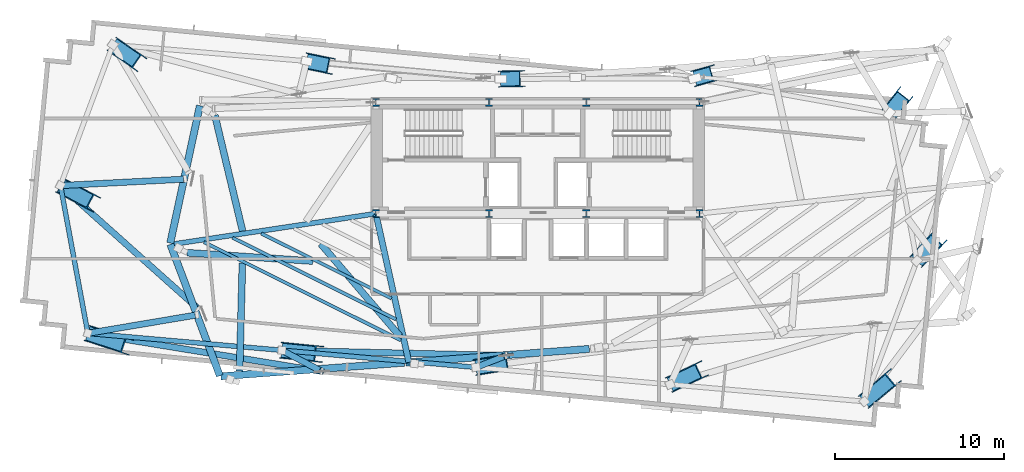
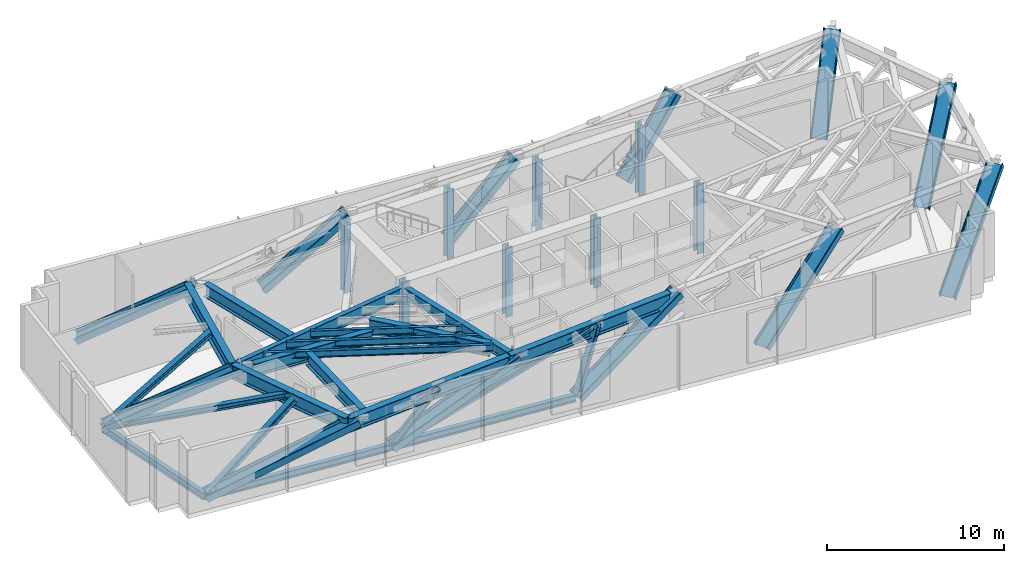
# One storey, part 1 of 10: 20 columns, 13 beams, 10 members.
"""IFC4 building model written with IfcOpenShell, lengths in metres."""

from ifc_helpers import new_model, si_unit, direction, frame, origin, origin_2d, place, context, subcontext, project, spatial, i_section, extrude, source, transform, mapped, material, material_profile, profile_set, type_object, type_shapes, element, save


model = new_model("IFC4")

# Units and contexts
model_context = context("Model", 3, precision=1e-05, world=origin(), true_north=direction((0.0, 1.0)))
body_context = subcontext(model_context, "Body", "Model", "MODEL_VIEW")
ifc_project = project(units=[si_unit("LENGTHUNIT", "METRE"), si_unit("AREAUNIT", "SQUARE_METRE"), si_unit("VOLUMEUNIT", "CUBIC_METRE"), si_unit("PLANEANGLEUNIT", "RADIAN"), si_unit("MASSUNIT", "GRAM", prefix="KILO")], contexts=[model_context])

# Site, building, storey
site_placement = place(None, origin())
site = spatial("IfcSite", under=ifc_project, at=site_placement, CompositionType="ELEMENT")
building_placement = place(site_placement, origin())
building = spatial("IfcBuilding", under=site, at=building_placement, Name="Astriad Promenade Condominiums", CompositionType="ELEMENT")
storey_placement = place(building_placement, frame((0.0, 0.0, 163.0)))
storey = spatial("IfcBuildingStorey", under=building, at=storey_placement, Name="L47", CompositionType="ELEMENT", Elevation=163.0)

# Columns
ifc_material = material(Name="Steel ASTM A992 Grade 50", Category="steel")
ifc_material_profile_1 = material_profile(ifc_material, i_section(OverallWidth=0.42138671875, OverallDepth=0.464599609375, WebThickness=0.044921875, FlangeThickness=0.072509765625, FilletRadius=0.017822265625, at=origin_2d()), Name="W14X398")
ifc_profile_set_1 = profile_set([ifc_material_profile_1], Name="Steel ASTM A992 Grade 50")
column_type_1 = type_object("IfcColumnType", Name="STEEL CORE PILASTER W14X398", PredefinedType="PILASTER", material=ifc_profile_set_1)
shared_shape_1 = source(origin(), body_context, "Body", "SweptSolid", [
    extrude(i_section(OverallWidth=0.42138671875, OverallDepth=0.464599609375, WebThickness=0.044921875, FlangeThickness=0.072509765625, FilletRadius=0.017822265625, at=origin_2d()), origin(), (0.0, 0.0, 1.0), 4.796142578125),
])
type_shapes(column_type_1, [shared_shape_1])
for number, where, z_axis, x_axis, name in (
    (1, (26.39990234375, 17.39990234375, 0.001953125), (0.0, 0.0, 1.0), (1.0, 0.0, 0.0), "Core Pilaster Column CP1 (L47)"),
    (2, (33.1201171875, 17.39990234375, 0.001953125), (0.0, 0.0, 1.0), (1.0, 0.0, 0.0), "Core Pilaster Column CP2 (L47)"),
    (3, (38.8798828125, 17.39990234375, 0.001953125), (0.0, 0.0, 1.0), (1.0, 0.0, 0.0), "Core Pilaster Column CP3 (L47)"),
    (4, (45.60009765625, 17.39990234375, 0.001953125), (0.0, 0.0, 1.0), (1.0, 0.0, 0.0), "Core Pilaster Column CP4 (L47)"),
    (5, (26.39990234375, 24.0, 0.001953125), (0.0, 0.0, 1.0), (1.0, 0.0, 0.0), "Core Pilaster Column CP5 (L47)"),
    (6, (33.1201171875, 24.0, 0.001953125), (0.0, 0.0, 1.0), (1.0, 0.0, 0.0), "Core Pilaster Column CP6 (L47)"),
    (7, (38.8798828125, 24.0, 0.001953125), (0.0, 0.0, 1.0), (1.0, 0.0, 0.0), "Core Pilaster Column CP7 (L47)"),
    (8, (45.60009765625, 24.0, 0.001953125), (0.0, 0.0, 1.0), (1.0, 0.0, 0.0), "Core Pilaster Column CP8 (L47)"),
):
    element("IfcColumn", number, at=place(storey_placement, frame(where, z_axis=z_axis, x_axis=x_axis)), inside=storey, type_object=column_type_1, Name=name, PredefinedType="PILASTER", context=body_context, shape_type="MappedRepresentation", body=[
        mapped(shared_shape_1, transform((0.0, 0.0, 0.0), scale=1.0)),
    ])
ifc_material_profile_2 = material_profile(ifc_material, i_section(OverallWidth=0.427490234375, OverallDepth=0.9755859375, WebThickness=0.031005859375, FlangeThickness=0.055908203125, FilletRadius=0.024169921875, at=origin_2d()), Name="W36X395")
ifc_profile_set_2 = profile_set([ifc_material_profile_2], Name="Steel ASTM A992 Grade 50")
column_type_2 = type_object("IfcColumnType", Name="STEEL RAKING MEGA COLUMN W36X395", PredefinedType="COLUMN", material=ifc_profile_set_2)
shared_shape_2 = source(origin(), body_context, "Body", "SweptSolid", [
    extrude(i_section(OverallWidth=0.427490234375, OverallDepth=0.9755859375, WebThickness=0.031005859375, FlangeThickness=0.055908203125, FilletRadius=0.024169921875, at=origin_2d()), origin(), (0.0, 0.0, 1.0), 9.694091796875),
])
column_1_placement = place(storey_placement, frame((9.319580078125, 10.30029296875, 0.20703125), z_axis=(0.867629311561, -0.282594656324, 0.409096123102), x_axis=(-0.388983204432, 0.126695321963, 0.912491294239)))
element("IfcColumn", 9, at=column_1_placement, inside=storey, type_object=column_type_2, Name="Raking Mega-Strut Column PC01 (L47)", PredefinedType="COLUMN", context=body_context, shape_type="MappedRepresentation", body=[
    mapped(shared_shape_2, transform((0.0, 0.0, 0.0), scale=1.0)),
])
shared_shape_3 = source(origin(), body_context, "Body", "SweptSolid", [
    extrude(i_section(OverallWidth=0.427490234375, OverallDepth=0.9755859375, WebThickness=0.031005859375, FlangeThickness=0.055908203125, FilletRadius=0.024169921875, at=origin_2d()), origin(), (0.0, 0.0, 1.0), 8.825927734375),
])
column_2_placement = place(storey_placement, frame((20.827392578125, 9.29150390625, 0.202880859375), z_axis=(0.888459117919, -0.08884867794, 0.450273592624), x_axis=(-0.448038832316, 0.044805278166, 0.8928906382)))
element("IfcColumn", 10, at=column_2_placement, inside=storey, type_object=column_type_2, Name="Raking Mega-Strut Column PC02 (L47)", PredefinedType="COLUMN", context=body_context, shape_type="MappedRepresentation", body=[
    mapped(shared_shape_3, transform((0.0, 0.0, 0.0), scale=1.0)),
])
shared_shape_4 = source(origin(), body_context, "Body", "SweptSolid", [
    extrude(i_section(OverallWidth=0.427490234375, OverallDepth=0.9755859375, WebThickness=0.031005859375, FlangeThickness=0.055908203125, FilletRadius=0.024169921875, at=origin_2d()), origin(), (0.0, 0.0, 1.0), 8.366943359375),
])
column_3_placement = place(storey_placement, frame((32.3388671875, 8.27880859375, 0.199951171875), z_axis=(0.868258717283, 0.140906753117, 0.47568065631), x_axis=(-0.469537746143, -0.076199683295, 0.879618049617)))
element("IfcColumn", 11, at=column_3_placement, inside=storey, type_object=column_type_2, Name="Raking Mega-Strut Column PC03 (L47)", PredefinedType="COLUMN", context=body_context, shape_type="MappedRepresentation", body=[
    mapped(shared_shape_4, transform((0.0, 0.0, 0.0), scale=1.0)),
])
shared_shape_5 = source(origin(), body_context, "Body", "SweptSolid", [
    extrude(i_section(OverallWidth=0.427490234375, OverallDepth=0.9755859375, WebThickness=0.031005859375, FlangeThickness=0.055908203125, FilletRadius=0.024169921875, at=origin_2d()), origin(), (0.0, 0.0, 1.0), 8.3837890625),
])
column_4_placement = place(storey_placement, frame((43.856201171875, 7.265869140625, 0.2001953125), z_axis=(0.796348519495, 0.374834466045, 0.474687432489), x_axis=(-0.429488980716, -0.202156805492, 0.880154441809)))
element("IfcColumn", 12, at=column_4_placement, inside=storey, type_object=column_type_2, Name="Raking Mega-Strut Column PC04 (L47)", PredefinedType="COLUMN", context=body_context, shape_type="MappedRepresentation", body=[
    mapped(shared_shape_5, transform((0.0, 0.0, 0.0), scale=1.0)),
])
shared_shape_6 = source(origin(), body_context, "Body", "SweptSolid", [
    extrude(i_section(OverallWidth=0.427490234375, OverallDepth=0.9755859375, WebThickness=0.031005859375, FlangeThickness=0.055908203125, FilletRadius=0.024169921875, at=origin_2d()), origin(), (0.0, 0.0, 1.0), 8.8740234375),
])
column_5_placement = place(storey_placement, frame((55.377685546875, 6.256591796875, 0.203125), z_axis=(0.685081186073, 0.574564695793, 0.447816010028), x_axis=(-0.34311765446, -0.287766318451, 0.894125730064)))
element("IfcColumn", 13, at=column_5_placement, inside=storey, type_object=column_type_2, Name="Raking Mega-Strut Column PC05 (L47)", PredefinedType="COLUMN", context=body_context, shape_type="MappedRepresentation", body=[
    mapped(shared_shape_6, transform((0.0, 0.0, 0.0), scale=1.0)),
])
shared_shape_7 = source(origin(), body_context, "Body", "SweptSolid", [
    extrude(i_section(OverallWidth=0.427490234375, OverallDepth=0.9755859375, WebThickness=0.031005859375, FlangeThickness=0.055908203125, FilletRadius=0.024169921875, at=origin_2d()), origin(), (0.0, 0.0, 1.0), 7.842529296875),
])
column_6_placement = place(storey_placement, frame((10.805908203125, 27.4150390625, 0.196044921875), z_axis=(0.708098056532, -0.489903240818, 0.508519377185), x_axis=(-0.418188669995, 0.289327138825, 0.861050546151)))
element("IfcColumn", 14, at=column_6_placement, inside=storey, type_object=column_type_2, Name="Raking Mega-Strut Column PC06 (L47)", PredefinedType="COLUMN", context=body_context, shape_type="MappedRepresentation", body=[
    mapped(shared_shape_7, transform((0.0, 0.0, 0.0), scale=1.0)),
])
shared_shape_8 = source(origin(), body_context, "Body", "SweptSolid", [
    extrude(i_section(OverallWidth=0.427490234375, OverallDepth=0.9755859375, WebThickness=0.031005859375, FlangeThickness=0.055908203125, FilletRadius=0.024169921875, at=origin_2d()), origin(), (0.0, 0.0, 1.0), 6.49951171875),
])
column_7_placement = place(storey_placement, frame((22.3037109375, 26.4462890625, 0.179931640625), z_axis=(0.769895202402, -0.15701414647, 0.618553098066), x_axis=(-0.606077383499, 0.123604774738, 0.785743001797)))
element("IfcColumn", 15, at=column_7_placement, inside=storey, type_object=column_type_2, Name="Raking Mega-Strut Column PC07 (L47)", PredefinedType="COLUMN", context=body_context, shape_type="MappedRepresentation", body=[
    mapped(shared_shape_8, transform((0.0, 0.0, 0.0), scale=1.0)),
])
shared_shape_9 = source(origin(), body_context, "Body", "SweptSolid", [
    extrude(i_section(OverallWidth=0.427490234375, OverallDepth=0.9755859375, WebThickness=0.031005859375, FlangeThickness=0.055908203125, FilletRadius=0.024169921875, at=origin_2d()), origin(), (0.0, 0.0, 1.0), 5.997802734375),
])
column_8_placement = place(storey_placement, frame((33.812744140625, 25.38427734375, 0.169921875), z_axis=(0.738948312908, 0.015793320778, 0.673576990305), x_axis=(-0.673423200594, -0.014392872195, 0.739117066594)))
element("IfcColumn", 16, at=column_8_placement, inside=storey, type_object=column_type_2, Name="Raking Mega-Strut Column PC08 (L47)", PredefinedType="COLUMN", context=body_context, shape_type="MappedRepresentation", body=[
    mapped(shared_shape_9, transform((0.0, 0.0, 0.0), scale=1.0)),
])
shared_shape_10 = source(origin(), body_context, "Body", "SweptSolid", [
    extrude(i_section(OverallWidth=0.427490234375, OverallDepth=0.9755859375, WebThickness=0.031005859375, FlangeThickness=0.055908203125, FilletRadius=0.024169921875, at=origin_2d()), origin(), (0.0, 0.0, 1.0), 5.693359375),
])
column_9_placement = place(storey_placement, frame((45.32666015625, 25.422607421875, 0.162109375), z_axis=(0.676281354512, 0.187477146784, 0.712387428984), x_axis=(-0.6864971101, -0.190309134827, 0.701786399858)))
element("IfcColumn", 17, at=column_9_placement, inside=storey, type_object=column_type_2, Name="Raking Mega-Strut Column PC09 (L47)", PredefinedType="COLUMN", context=body_context, shape_type="MappedRepresentation", body=[
    mapped(shared_shape_10, transform((0.0, 0.0, 0.0), scale=1.0)),
])
shared_shape_11 = source(origin(), body_context, "Body", "SweptSolid", [
    extrude(i_section(OverallWidth=0.427490234375, OverallDepth=0.9755859375, WebThickness=0.031005859375, FlangeThickness=0.055908203125, FilletRadius=0.024169921875, at=origin_2d()), origin(), (0.0, 0.0, 1.0), 6.5576171875),
])
column_10_placement = place(storey_placement, frame((56.864501953125, 23.339599609375, 0.180908203125), z_axis=(0.49117035329, 0.619091321523, 0.612762286424), x_axis=(-0.380846676507, -0.480034820255, 0.790267284111)))
element("IfcColumn", 18, at=column_10_placement, inside=storey, type_object=column_type_2, Name="Raking Mega-Strut Column PC10 (L47)", PredefinedType="COLUMN", context=body_context, shape_type="MappedRepresentation", body=[
    mapped(shared_shape_11, transform((0.0, 0.0, 0.0), scale=1.0)),
])
shared_shape_12 = source(origin(), body_context, "Body", "SweptSolid", [
    extrude(i_section(OverallWidth=0.427490234375, OverallDepth=0.9755859375, WebThickness=0.031005859375, FlangeThickness=0.055908203125, FilletRadius=0.024169921875, at=origin_2d()), origin(), (0.0, 0.0, 1.0), 8.844482421875),
])
column_11_placement = place(storey_placement, frame((7.6943359375, 19.062744140625, 0.202880859375), z_axis=(0.789303843356, -0.418446420977, 0.449335103943), x_axis=(-0.39699630515, 0.210466076441, 0.89336328801)))
element("IfcColumn", 19, at=column_11_placement, inside=storey, type_object=column_type_2, Name="Raking Mega-Strut Column PC11 (L47)", PredefinedType="COLUMN", context=body_context, shape_type="MappedRepresentation", body=[
    mapped(shared_shape_12, transform((0.0, 0.0, 0.0), scale=1.0)),
])
shared_shape_13 = source(origin(), body_context, "Body", "SweptSolid", [
    extrude(i_section(OverallWidth=0.427490234375, OverallDepth=0.9755859375, WebThickness=0.031005859375, FlangeThickness=0.055908203125, FilletRadius=0.024169921875, at=origin_2d()), origin(), (0.0, 0.0, 1.0), 7.897705078125),
])
type_shapes(column_type_2, [shared_shape_2, shared_shape_3, shared_shape_4, shared_shape_5, shared_shape_6, shared_shape_7, shared_shape_8, shared_shape_9, shared_shape_10, shared_shape_11, shared_shape_12, shared_shape_13])
column_12_placement = place(storey_placement, frame((58.4912109375, 14.593994140625, 0.196533203125), z_axis=(0.588521105511, 0.631490132545, 0.504839698188), x_axis=(-0.344189415886, -0.369319329116, 0.863213113393)))
element("IfcColumn", 20, at=column_12_placement, inside=storey, type_object=column_type_2, Name="Raking Mega-Strut Column PC12 (L47)", PredefinedType="COLUMN", context=body_context, shape_type="MappedRepresentation", body=[
    mapped(shared_shape_13, transform((0.0, 0.0, 0.0), scale=1.0)),
])

# Beams
ifc_material_profile_3 = material_profile(ifc_material, i_section(OverallWidth=0.423095703125, OverallDepth=0.9482421875, WebThickness=0.02392578125, FlangeThickness=0.042724609375, FilletRadius=0.024169921875, at=origin_2d()), Name="W36X302")
ifc_profile_set_3 = profile_set([ifc_material_profile_3], Name="Steel ASTM A992 Grade 50")
beam_type_1 = type_object("IfcBeamType", Name="STEEL PERIMETER RING GIRDER W36X302", PredefinedType="BEAM", material=ifc_profile_set_3)
shared_shape_14 = source(origin(), body_context, "Body", "SweptSolid", [
    extrude(i_section(OverallWidth=0.423095703125, OverallDepth=0.9482421875, WebThickness=0.02392578125, FlangeThickness=0.042724609375, FilletRadius=0.024169921875, at=origin_2d()), origin(), (0.0, 0.0, 1.0), 10.919921875),
])
for number, where, z_axis, x_axis, name in (
    (21, (17.2041015625, 7.748291015625, 3.906005859375), (0.997248076484, 0.074136859581, 0.0), (-0.074136859581, 0.997248076484, 0.0), "Perimeter Spandrel Beam SP-S1-L47"),
    (22, (28.173583984375, 8.56396484375, 3.906005859375), (0.997248076484, 0.074136859581, 0.0), (-0.074136859581, 0.997248076484, 0.0), "Perimeter Spandrel Beam SP-S2-L47"),
):
    element("IfcBeam", number, at=place(storey_placement, frame(where, z_axis=z_axis, x_axis=x_axis)), inside=storey, type_object=beam_type_1, Name=name, PredefinedType="BEAM", context=body_context, shape_type="MappedRepresentation", body=[
        mapped(shared_shape_14, transform((0.0, 0.0, 0.0), scale=1.0)),
    ])
shared_shape_15 = source(origin(), body_context, "Body", "SweptSolid", [
    extrude(i_section(OverallWidth=0.423095703125, OverallDepth=0.9482421875, WebThickness=0.02392578125, FlangeThickness=0.042724609375, FilletRadius=0.024169921875, at=origin_2d()), origin(), (0.0, 0.0, 1.0), 8.3291015625),
])
beam_1_placement = place(storey_placement, frame((14.213134765625, 15.576904296875, 3.906005859375), z_axis=(0.352591006589, -0.935777528087, 0.0), x_axis=(0.935777528087, 0.352591006589, 0.0)))
element("IfcBeam", 23, at=beam_1_placement, inside=storey, type_object=beam_type_1, Name="Perimeter Spandrel Beam SP-W1-L47", PredefinedType="BEAM", context=body_context, shape_type="MappedRepresentation", body=[
    mapped(shared_shape_15, transform((0.0, 0.0, 0.0), scale=1.0)),
])
shared_shape_16 = source(origin(), body_context, "Body", "SweptSolid", [
    extrude(i_section(OverallWidth=0.423095703125, OverallDepth=0.9482421875, WebThickness=0.02392578125, FlangeThickness=0.042724609375, FilletRadius=0.024169921875, at=origin_2d()), origin(), (0.0, 0.0, 1.0), 8.335205078125),
])
type_shapes(beam_type_1, [shared_shape_14, shared_shape_15, shared_shape_16])
beam_2_placement = place(storey_placement, frame((15.96337890625, 23.8017578125, 3.906005859375), z_axis=(-0.210655122251, -0.977560442873, 0.0), x_axis=(0.977560442873, -0.210655122251, 0.0)))
element("IfcBeam", 24, at=beam_2_placement, inside=storey, type_object=beam_type_1, Name="Perimeter Spandrel Beam SP-W2-L47", PredefinedType="BEAM", context=body_context, shape_type="MappedRepresentation", body=[
    mapped(shared_shape_16, transform((0.0, 0.0, 0.0), scale=1.0)),
])
ifc_material_profile_4 = material_profile(ifc_material, i_section(OverallWidth=0.2919921875, OverallDepth=0.85888671875, WebThickness=0.01708984375, FlangeThickness=0.031005859375, FilletRadius=0.02294921875, at=origin_2d()), Name="W33X169")
ifc_profile_set_4 = profile_set([ifc_material_profile_4], Name="Steel ASTM A992 Grade 50")
beam_type_2 = type_object("IfcBeamType", Name="STEEL PRIMARY GIRDER W33X169", PredefinedType="BEAM", material=ifc_profile_set_4)
shared_shape_17 = source(origin(), body_context, "Body", "SweptSolid", [
    extrude(i_section(OverallWidth=0.2919921875, OverallDepth=0.85888671875, WebThickness=0.01708984375, FlangeThickness=0.031005859375, FilletRadius=0.02294921875, at=origin_2d()), origin(), (0.0, 0.0, 1.0), 12.179443359375),
])
type_shapes(beam_type_2, [shared_shape_17])
beam_3_placement = place(storey_placement, frame((14.31689453125, 15.578857421875, 3.950439453125), z_axis=(0.988831715904, 0.149036363425, 0.0), x_axis=(-0.149036363425, 0.988831715904, 0.0)))
element("IfcBeam", 25, at=beam_3_placement, inside=storey, type_object=beam_type_2, Name="Primary Floor Girder PG-WM-L47", PredefinedType="BEAM", context=body_context, shape_type="MappedRepresentation", body=[
    mapped(shared_shape_17, transform((0.0, 0.0, 0.0), scale=1.0)),
])
ifc_material_profile_5 = material_profile(ifc_material, i_section(OverallWidth=0.35791015625, OverallDepth=0.706298828125, WebThickness=0.018310546875, FlangeThickness=0.0302734375, FilletRadius=0.020263671875, at=origin_2d()), Name="W27X178")
ifc_profile_set_5 = profile_set([ifc_material_profile_5], Name="Steel ASTM A992 Grade 50")
beam_type_3 = type_object("IfcBeamType", Name="STEEL FLOOR GIRDER W27X178", PredefinedType="BEAM", material=ifc_profile_set_5)
shared_shape_18 = source(origin(), body_context, "Body", "SweptSolid", [
    extrude(i_section(OverallWidth=0.35791015625, OverallDepth=0.706298828125, WebThickness=0.018310546875, FlangeThickness=0.0302734375, FilletRadius=0.020263671875, at=origin_2d()), origin(), (0.0, 0.0, 1.0), 8.999755859375),
])
type_shapes(beam_type_3, [shared_shape_18])
beam_4_placement = place(storey_placement, frame((28.363525390625, 8.576171875, 4.02685546875), z_axis=(-0.217209063302, 0.976125106131, 0.0), x_axis=(-0.976125106131, -0.217209063302, 0.0)))
element("IfcBeam", 26, at=beam_4_placement, inside=storey, type_object=beam_type_3, Name="Primary Floor Girder PG-W2-L47", PredefinedType="BEAM", context=body_context, shape_type="MappedRepresentation", body=[
    mapped(shared_shape_18, transform((0.0, 0.0, 0.0), scale=1.0)),
])
ifc_material_profile_6 = material_profile(ifc_material, i_section(OverallWidth=0.19287109375, OverallDepth=0.466064453125, WebThickness=0.011474609375, FlangeThickness=0.01904296875, FilletRadius=0.01513671875, at=origin_2d()), Name="W18X65")
ifc_profile_set_6 = profile_set([ifc_material_profile_6], Name="Steel ASTM A992 Grade 50")
beam_type_4 = type_object("IfcBeamType", Name="STEEL FLOOR JOIST W18X65", PredefinedType="JOIST", material=ifc_profile_set_6)
shared_shape_19 = source(origin(), body_context, "Body", "SweptSolid", [
    extrude(i_section(OverallWidth=0.19287109375, OverallDepth=0.466064453125, WebThickness=0.011474609375, FlangeThickness=0.01904296875, FilletRadius=0.01513671875, at=origin_2d()), origin(), (0.0, 0.0, 1.0), 13.04345703125),
])
beam_5_placement = place(storey_placement, frame((16.210693359375, 15.710693359375, 4.14697265625), z_axis=(0.894726467955, -0.446614540226, 0.0), x_axis=(0.446614540226, 0.894726467955, 0.0)))
element("IfcBeam", 27, at=beam_5_placement, inside=storey, type_object=beam_type_4, Name="Secondary Composite Floor Joist JW1-1-L47", PredefinedType="JOIST", context=body_context, shape_type="MappedRepresentation", body=[
    mapped(shared_shape_19, transform((0.0, 0.0, 0.0), scale=1.0)),
])
shared_shape_20 = source(origin(), body_context, "Body", "SweptSolid", [
    extrude(i_section(OverallWidth=0.19287109375, OverallDepth=0.466064453125, WebThickness=0.011474609375, FlangeThickness=0.01904296875, FilletRadius=0.01513671875, at=origin_2d()), origin(), (0.0, 0.0, 1.0), 10.837890625),
])
beam_6_placement = place(storey_placement, frame((17.907958984375, 15.966552734375, 4.14697265625), z_axis=(0.894728841949, -0.446609784246, 0.0), x_axis=(0.446609784246, 0.894728841949, 0.0)))
element("IfcBeam", 28, at=beam_6_placement, inside=storey, type_object=beam_type_4, Name="Secondary Composite Floor Joist JW1-2-L47", PredefinedType="JOIST", context=body_context, shape_type="MappedRepresentation", body=[
    mapped(shared_shape_20, transform((0.0, 0.0, 0.0), scale=1.0)),
])
shared_shape_21 = source(origin(), body_context, "Body", "SweptSolid", [
    extrude(i_section(OverallWidth=0.19287109375, OverallDepth=0.466064453125, WebThickness=0.011474609375, FlangeThickness=0.01904296875, FilletRadius=0.01513671875, at=origin_2d()), origin(), (0.0, 0.0, 1.0), 8.632568359375),
])
type_shapes(beam_type_4, [shared_shape_19, shared_shape_20, shared_shape_21])
beam_7_placement = place(storey_placement, frame((19.60498046875, 16.222412109375, 4.14697265625), z_axis=(0.894726768909, -0.446613937308, 0.0), x_axis=(0.446613937308, 0.894726768909, 0.0)))
element("IfcBeam", 29, at=beam_7_placement, inside=storey, type_object=beam_type_4, Name="Secondary Composite Floor Joist JW1-3-L47", PredefinedType="JOIST", context=body_context, shape_type="MappedRepresentation", body=[
    mapped(shared_shape_21, transform((0.0, 0.0, 0.0), scale=1.0)),
])
ifc_material_profile_7 = material_profile(ifc_material, i_section(OverallWidth=0.4013671875, OverallDepth=0.877197265625, WebThickness=0.022216796875, FlangeThickness=0.039794921875, FilletRadius=0.02294921875, at=origin_2d()), Name="W33X263")
ifc_profile_set_7 = profile_set([ifc_material_profile_7], Name="Steel ASTM A992 Grade 50")
beam_type_5 = type_object("IfcBeamType", Name="STEEL TRANSFER CARRIER GIRDER W33X263", PredefinedType="BEAM", material=ifc_profile_set_7)
shared_shape_22 = source(origin(), body_context, "Body", "SweptSolid", [
    extrude(i_section(OverallWidth=0.4013671875, OverallDepth=0.877197265625, WebThickness=0.022216796875, FlangeThickness=0.039794921875, FilletRadius=0.02294921875, at=origin_2d()), origin(), (0.0, 0.0, 1.0), 6.40576171875),
])
beam_8_placement = place(storey_placement, frame((18.486572265625, 14.456787109375, 3.94140625), z_axis=(-0.02599296846, -0.999662125716, 0.0), x_axis=(0.999662125716, -0.02599296846, 0.0)))
element("IfcBeam", 30, at=beam_8_placement, inside=storey, type_object=beam_type_5, Name="Transfer Splice Carrier TRM-SP-PC01-L47", PredefinedType="BEAM", context=body_context, shape_type="MappedRepresentation", body=[
    mapped(shared_shape_22, transform((0.0, 0.0, 0.0), scale=1.0)),
])
shared_shape_23 = source(origin(), body_context, "Body", "SweptSolid", [
    extrude(i_section(OverallWidth=0.4013671875, OverallDepth=0.877197265625, WebThickness=0.022216796875, FlangeThickness=0.039794921875, FilletRadius=0.02294921875, at=origin_2d()), origin(), (0.0, 0.0, 1.0), 7.228759765625),
])
beam_9_placement = place(storey_placement, frame((23.12744140625, 15.612548828125, 3.94140625), z_axis=(0.650691237612, -0.759342421635, 0.0), x_axis=(0.759342421635, 0.650691237612, 0.0)))
element("IfcBeam", 31, at=beam_9_placement, inside=storey, type_object=beam_type_5, Name="Transfer Splice Carrier TRM-SP-PC02-L47", PredefinedType="BEAM", context=body_context, shape_type="MappedRepresentation", body=[
    mapped(shared_shape_23, transform((0.0, 0.0, 0.0), scale=1.0)),
])
shared_shape_24 = source(origin(), body_context, "Body", "SweptSolid", [
    extrude(i_section(OverallWidth=0.4013671875, OverallDepth=0.877197265625, WebThickness=0.022216796875, FlangeThickness=0.039794921875, FilletRadius=0.02294921875, at=origin_2d()), origin(), (0.0, 0.0, 1.0), 7.057861328125),
])
beam_10_placement = place(storey_placement, frame((18.495849609375, 16.366455078125, 3.94140625), z_axis=(-0.232658568567, 0.972558476634, 0.0), x_axis=(-0.972558476634, -0.232658568567, 0.0)))
element("IfcBeam", 32, at=beam_10_placement, inside=storey, type_object=beam_type_5, Name="Transfer Splice Carrier TRM-SP-PC06-L47", PredefinedType="BEAM", context=body_context, shape_type="MappedRepresentation", body=[
    mapped(shared_shape_24, transform((0.0, 0.0, 0.0), scale=1.0)),
])
shared_shape_25 = source(origin(), body_context, "Body", "SweptSolid", [
    extrude(i_section(OverallWidth=0.4013671875, OverallDepth=0.877197265625, WebThickness=0.022216796875, FlangeThickness=0.039794921875, FilletRadius=0.02294921875, at=origin_2d()), origin(), (0.0, 0.0, 1.0), 7.476806640625),
])
type_shapes(beam_type_5, [shared_shape_22, shared_shape_23, shared_shape_24, shared_shape_25])
beam_11_placement = place(storey_placement, frame((22.6669921875, 14.581787109375, 3.94140625), z_axis=(-0.997776769973, 0.066644709478, 0.0), x_axis=(-0.066644709478, -0.997776769973, 0.0)))
element("IfcBeam", 33, at=beam_11_placement, inside=storey, type_object=beam_type_5, Name="Transfer Splice Carrier TRM-SP-PC11-L47", PredefinedType="BEAM", context=body_context, shape_type="MappedRepresentation", body=[
    mapped(shared_shape_25, transform((0.0, 0.0, 0.0), scale=1.0)),
])

# Members
ifc_material_profile_8 = material_profile(ifc_material, i_section(OverallWidth=0.283447265625, OverallDepth=0.489013671875, WebThickness=0.01708984375, FlangeThickness=0.030517578125, FilletRadius=0.01513671875, at=origin_2d()), Name="W18X130")
ifc_profile_set_8 = profile_set([ifc_material_profile_8], Name="Steel ASTM A992 Grade 50")
member_type_1 = type_object("IfcMemberType", Name="STEEL BELT TRUSS CHORD W18X130", PredefinedType="CHORD", material=ifc_profile_set_8)
shared_shape_26 = source(origin(), body_context, "Body", "SweptSolid", [
    extrude(i_section(OverallWidth=0.283447265625, OverallDepth=0.489013671875, WebThickness=0.01708984375, FlangeThickness=0.030517578125, FilletRadius=0.01513671875, at=origin_2d()), origin(), (0.0, 0.0, 1.0), 11.501953125),
])
member_1_placement = place(storey_placement, frame((9.344482421875, 10.298095703125, 0.139892578125), z_axis=(0.99617997355, -0.087323881599, 0.0), x_axis=(0.087323881599, 0.99617997355, 0.0)))
element("IfcMember", 34, at=member_1_placement, inside=storey, type_object=member_type_1, Name="Belt Truss Chord L47-01", PredefinedType="CHORD", context=body_context, shape_type="MappedRepresentation", body=[
    mapped(shared_shape_26, transform((0.0, 0.0, 0.0), scale=1.0)),
])
ifc_material_profile_9 = material_profile(ifc_material, i_section(OverallWidth=0.368896484375, OverallDepth=0.356201171875, WebThickness=0.01123046875, FlangeThickness=0.01806640625, FilletRadius=0.017822265625, at=origin_2d()), Name="W14X90")
ifc_profile_set_9 = profile_set([ifc_material_profile_9], Name="Steel ASTM A992 Grade 50")
member_type_2 = type_object("IfcMemberType", Name="STEEL BELT TRUSS DIAGONAL W14X90", PredefinedType="BRACE", material=ifc_profile_set_9)
shared_shape_27 = source(origin(), body_context, "Body", "SweptSolid", [
    extrude(i_section(OverallWidth=0.368896484375, OverallDepth=0.356201171875, WebThickness=0.01123046875, FlangeThickness=0.01806640625, FilletRadius=0.017822265625, at=origin_2d()), origin(), (0.0, 0.0, 1.0), 14.587890625),
])
member_2_placement = place(storey_placement, frame((9.343505859375, 10.29638671875, 0.14697265625), z_axis=(0.948210408801, -0.154807813358, 0.277365393597), x_axis=(0.161129821289, 0.986933219976, 0.0)))
element("IfcMember", 35, at=member_2_placement, inside=storey, type_object=member_type_2, Name="Belt Truss Diagonal L47-01A", PredefinedType="BRACE", context=body_context, shape_type="MappedRepresentation", body=[
    mapped(shared_shape_27, transform((0.0, 0.0, 0.0), scale=1.0)),
])
shared_shape_28 = source(origin(), body_context, "Body", "SweptSolid", [
    extrude(i_section(OverallWidth=0.368896484375, OverallDepth=0.356201171875, WebThickness=0.01123046875, FlangeThickness=0.01806640625, FilletRadius=0.017822265625, at=origin_2d()), origin(), (0.0, 0.0, 1.0), 4.8173828125),
])
member_3_placement = place(storey_placement, frame((20.839599609375, 9.284912109375, 0.160888671875), z_axis=(0.487379175423, -0.258259777265, 0.834124347331), x_axis=(0.468221187178, 0.883611294562, 0.0)))
element("IfcMember", 36, at=member_3_placement, inside=storey, type_object=member_type_2, Name="Belt Truss Diagonal L47-01B", PredefinedType="BRACE", context=body_context, shape_type="MappedRepresentation", body=[
    mapped(shared_shape_28, transform((0.0, 0.0, 0.0), scale=1.0)),
])
shared_shape_29 = source(origin(), body_context, "Body", "SweptSolid", [
    extrude(i_section(OverallWidth=0.283447265625, OverallDepth=0.489013671875, WebThickness=0.01708984375, FlangeThickness=0.030517578125, FilletRadius=0.01513671875, at=origin_2d()), origin(), (0.0, 0.0, 1.0), 11.505859375),
])
member_4_placement = place(storey_placement, frame((20.852294921875, 9.289306640625, 0.139892578125), z_axis=(0.996152819495, -0.087633099975, 0.0), x_axis=(0.087633099975, 0.996152819495, 0.0)))
element("IfcMember", 37, at=member_4_placement, inside=storey, type_object=member_type_1, Name="Belt Truss Chord L47-02", PredefinedType="CHORD", context=body_context, shape_type="MappedRepresentation", body=[
    mapped(shared_shape_29, transform((0.0, 0.0, 0.0), scale=1.0)),
])
shared_shape_30 = source(origin(), body_context, "Body", "SweptSolid", [
    extrude(i_section(OverallWidth=0.368896484375, OverallDepth=0.356201171875, WebThickness=0.01123046875, FlangeThickness=0.01806640625, FilletRadius=0.017822265625, at=origin_2d()), origin(), (0.0, 0.0, 1.0), 13.86767578125),
])
member_5_placement = place(storey_placement, frame((20.851318359375, 9.291015625, 0.147216796875), z_axis=(0.956247938586, -0.022199838919, 0.29171398167), x_axis=(0.023209314237, 0.999730627586, 0.0)))
element("IfcMember", 38, at=member_5_placement, inside=storey, type_object=member_type_2, Name="Belt Truss Diagonal L47-02A", PredefinedType="BRACE", context=body_context, shape_type="MappedRepresentation", body=[
    mapped(shared_shape_30, transform((0.0, 0.0, 0.0), scale=1.0)),
])
shared_shape_31 = source(origin(), body_context, "Body", "SweptSolid", [
    extrude(i_section(OverallWidth=0.368896484375, OverallDepth=0.356201171875, WebThickness=0.01123046875, FlangeThickness=0.01806640625, FilletRadius=0.017822265625, at=origin_2d()), origin(), (0.0, 0.0, 1.0), 4.445556640625),
])
member_6_placement = place(storey_placement, frame((32.348876953125, 8.28271484375, 0.16259765625), z_axis=(0.399807574638, 0.156518075236, 0.903136753424), x_axis=(-0.364544029474, 0.931186152482, 0.0)))
element("IfcMember", 39, at=member_6_placement, inside=storey, type_object=member_type_2, Name="Belt Truss Diagonal L47-02B", PredefinedType="BRACE", context=body_context, shape_type="MappedRepresentation", body=[
    mapped(shared_shape_31, transform((0.0, 0.0, 0.0), scale=1.0)),
])
shared_shape_32 = source(origin(), body_context, "Body", "SweptSolid", [
    extrude(i_section(OverallWidth=0.283447265625, OverallDepth=0.489013671875, WebThickness=0.01708984375, FlangeThickness=0.030517578125, FilletRadius=0.01513671875, at=origin_2d()), origin(), (0.0, 0.0, 1.0), 8.86181640625),
])
type_shapes(member_type_1, [shared_shape_26, shared_shape_29, shared_shape_32])
member_7_placement = place(storey_placement, frame((9.315185546875, 10.324951171875, 0.139892578125), z_axis=(-0.182380279904, 0.983228067898, 0.0), x_axis=(-0.983228067898, -0.182380279904, 0.0)))
element("IfcMember", 40, at=member_7_placement, inside=storey, type_object=member_type_1, Name="Belt Truss Chord L47-09", PredefinedType="CHORD", context=body_context, shape_type="MappedRepresentation", body=[
    mapped(shared_shape_32, transform((0.0, 0.0, 0.0), scale=1.0)),
])
shared_shape_33 = source(origin(), body_context, "Body", "SweptSolid", [
    extrude(i_section(OverallWidth=0.368896484375, OverallDepth=0.356201171875, WebThickness=0.01123046875, FlangeThickness=0.01806640625, FilletRadius=0.017822265625, at=origin_2d()), origin(), (0.0, 0.0, 1.0), 7.550048828125),
])
member_8_placement = place(storey_placement, frame((9.341064453125, 10.303955078125, 0.152587890625), z_axis=(0.852384269398, 0.143767088837, 0.502764439325), x_axis=(-0.166315579639, 0.986072577435, 0.0)))
element("IfcMember", 41, at=member_8_placement, inside=storey, type_object=member_type_2, Name="Belt Truss Diagonal L47-09A", PredefinedType="BRACE", context=body_context, shape_type="MappedRepresentation", body=[
    mapped(shared_shape_33, transform((0.0, 0.0, 0.0), scale=1.0)),
])
shared_shape_34 = source(origin(), body_context, "Body", "SweptSolid", [
    extrude(i_section(OverallWidth=0.368896484375, OverallDepth=0.356201171875, WebThickness=0.01123046875, FlangeThickness=0.01806640625, FilletRadius=0.017822265625, at=origin_2d()), origin(), (0.0, 0.0, 1.0), 11.58544921875),
])
member_9_placement = place(storey_placement, frame((7.7119140625, 19.047119140625, 0.1484375), z_axis=(0.702578937834, -0.62768495028, 0.3352527991), x_axis=(0.666241542089, 0.745736017365, 0.0)))
element("IfcMember", 42, at=member_9_placement, inside=storey, type_object=member_type_2, Name="Belt Truss Diagonal L47-09B", PredefinedType="BRACE", context=body_context, shape_type="MappedRepresentation", body=[
    mapped(shared_shape_34, transform((0.0, 0.0, 0.0), scale=1.0)),
])
shared_shape_35 = source(origin(), body_context, "Body", "SweptSolid", [
    extrude(i_section(OverallWidth=0.368896484375, OverallDepth=0.356201171875, WebThickness=0.01123046875, FlangeThickness=0.01806640625, FilletRadius=0.017822265625, at=origin_2d()), origin(), (0.0, 0.0, 1.0), 8.298095703125),
])
type_shapes(member_type_2, [shared_shape_27, shared_shape_28, shared_shape_30, shared_shape_31, shared_shape_33, shared_shape_34, shared_shape_35])
member_10_placement = place(storey_placement, frame((7.716552734375, 19.063720703125, 0.151611328125), z_axis=(0.886651470839, 0.045897806428, 0.46015493111), x_axis=(-0.05169611311, 0.998662861976, 0.0)))
element("IfcMember", 43, at=member_10_placement, inside=storey, type_object=member_type_2, Name="Belt Truss Diagonal L47-10A", PredefinedType="BRACE", context=body_context, shape_type="MappedRepresentation", body=[
    mapped(shared_shape_35, transform((0.0, 0.0, 0.0), scale=1.0)),
])

save(model, "model.ifc")
